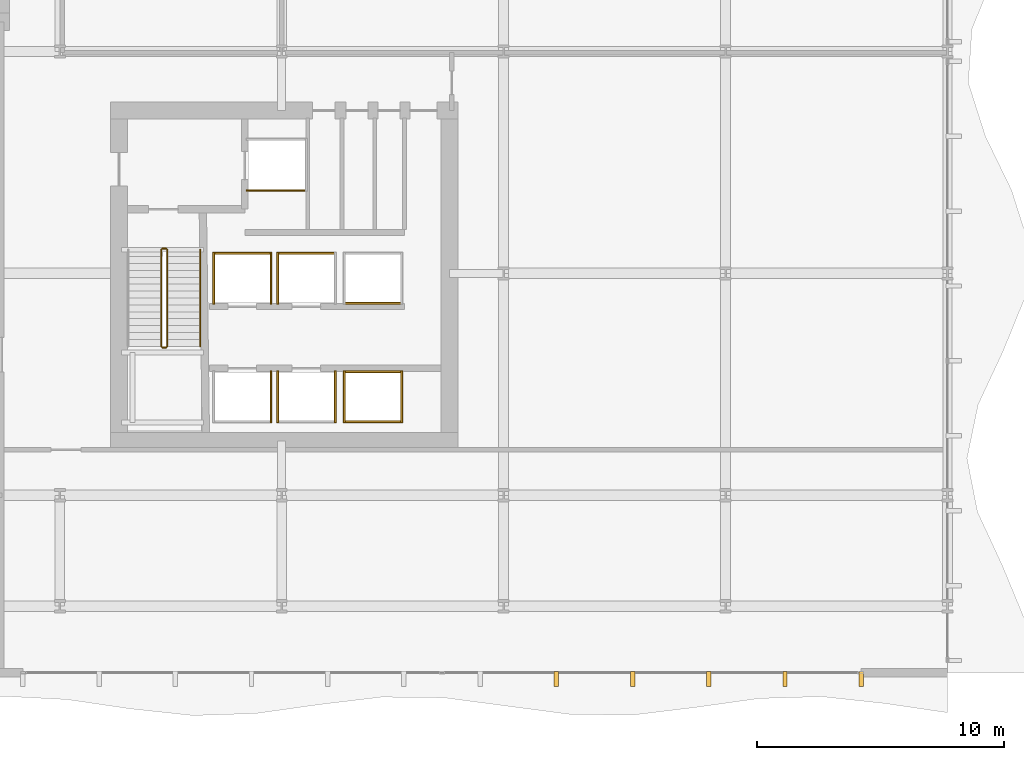
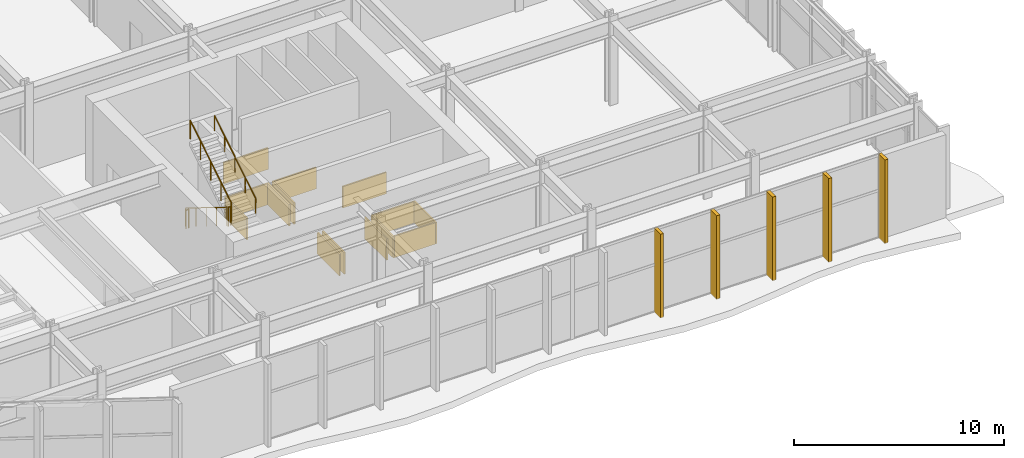
# One storey, part 29 of 33: 19 coverings, 5 railings.
"""IFC4 building model written with IfcOpenShell, lengths in metres."""

from ifc_helpers import new_model, si_unit, direction, frame, origin, origin_2d, place, context, subcontext, project, spatial, rectangle, circle, extrude, material, layer, layer_set, type_object, element, save


model = new_model("IFC4")

# Units and contexts
model_context = context("Model", 3, precision=1e-05, world=origin(), true_north=direction((0.0, 1.0)))
body_context = subcontext(model_context, "Body", "Model", "MODEL_VIEW")
ifc_project = project(units=[si_unit("LENGTHUNIT", "METRE"), si_unit("AREAUNIT", "SQUARE_METRE"), si_unit("VOLUMEUNIT", "CUBIC_METRE"), si_unit("PLANEANGLEUNIT", "RADIAN"), si_unit("MASSUNIT", "GRAM", prefix="KILO")], contexts=[model_context])

# Site, building, storey
site_placement = place(None, origin())
site = spatial("IfcSite", under=ifc_project, at=site_placement, CompositionType="ELEMENT")
building_placement = place(site_placement, origin())
building = spatial("IfcBuilding", under=site, at=building_placement, Name="Solvaryn Broadcast Tower", CompositionType="ELEMENT")
storey_placement = place(building_placement, frame((0.0, 0.0, 5.800048828125)))
storey = spatial("IfcBuildingStorey", under=building, at=storey_placement, Name="L01", CompositionType="ELEMENT", Elevation=5.800048828125)

# Coverings
ifc_material_1 = material(Name="Fire-Rated Gypsum Shaftwall Liner", Category="concrete")
ifc_layer_1 = layer(ifc_material_1, 0.080078125)
ifc_layer_set_1 = layer_set([ifc_layer_1], Name="CV-SHAFT-LINER")
covering_type_1 = type_object("IfcCoveringType", Name="CV-SHAFT-LINER", PredefinedType="CLADDING", material=ifc_layer_set_1)
covering_1_placement = place(storey_placement, frame((35.800048828125, 21.360107421875, 0.0), z_axis=(0.0, 0.0, 1.0), x_axis=(1.0, 0.0, 0.0)))
element("IfcCovering", 1, at=covering_1_placement, inside=storey, type_object=covering_type_1, Name="L01 FL2 Hoistway Shaft Liner South", PredefinedType="CLADDING", context=body_context, shape_type="SweptSolid", body=[
    extrude(rectangle(XDim=2.4599609375, YDim=0.080078125, at=origin_2d()), origin(), (0.0, 0.0, 1.0), 1.25),
])
for number, where, z_axis, x_axis, name in (
    (2, (35.56494140625, 13.0, 0.0), (0.0, 0.0, 1.0), (1.0, 0.0, 0.0), "L01 PL1 Hoistway Shaft Liner East"),
    (3, (38.1650390625, 13.0, 0.0), (0.0, 0.0, 1.0), (1.0, 0.0, 0.0), "L01 PL2 Hoistway Shaft Liner East"),
    (4, (35.8349609375, 13.0, 0.0), (0.0, 0.0, 1.0), (1.0, 0.0, 0.0), "L01 PL2 Hoistway Shaft Liner West"),
):
    element("IfcCovering", number, at=place(storey_placement, frame(where, z_axis=z_axis, x_axis=x_axis)), inside=storey, type_object=covering_type_1, Name=name, PredefinedType="CLADDING", context=body_context, shape_type="SweptSolid", body=[
        extrude(rectangle(XDim=0.080078125, YDim=2.110107421875, at=origin_2d()), origin(), (0.0, 0.0, 1.0), 1.25),
    ])
covering_2_placement = place(storey_placement, frame((34.39990234375, 18.81494140625, 0.0), z_axis=(0.0, 0.0, 1.0), x_axis=(1.0, 0.0, 0.0)))
element("IfcCovering", 5, at=covering_2_placement, inside=storey, type_object=covering_type_1, Name="L01 PL3 Hoistway Shaft Liner North", PredefinedType="CLADDING", context=body_context, shape_type="SweptSolid", body=[
    extrude(rectangle(XDim=2.409912109375, YDim=0.080078125, at=origin_2d()), origin(), (0.0, 0.0, 1.0), 1.25),
])
for number, where, z_axis, x_axis, name in (
    (6, (35.56494140625, 17.800048828125, 0.0), (0.0, 0.0, 1.0), (1.0, 0.0, 0.0), "L01 PL3 Hoistway Shaft Liner East"),
    (7, (33.235107421875, 17.800048828125, 0.0), (0.0, 0.0, 1.0), (1.0, 0.0, 0.0), "L01 PL3 Hoistway Shaft Liner West"),
):
    element("IfcCovering", number, at=place(storey_placement, frame(where, z_axis=z_axis, x_axis=x_axis)), inside=storey, type_object=covering_type_1, Name=name, PredefinedType="CLADDING", context=body_context, shape_type="SweptSolid", body=[
        extrude(rectangle(XDim=0.080078125, YDim=2.110107421875, at=origin_2d()), origin(), (0.0, 0.0, 1.0), 1.25),
    ])
covering_3_placement = place(storey_placement, frame((37.0, 18.81494140625, 0.0), z_axis=(0.0, 0.0, 1.0), x_axis=(1.0, 0.0, 0.0)))
element("IfcCovering", 8, at=covering_3_placement, inside=storey, type_object=covering_type_1, Name="L01 PL4 Hoistway Shaft Liner North", PredefinedType="CLADDING", context=body_context, shape_type="SweptSolid", body=[
    extrude(rectangle(XDim=2.409912109375, YDim=0.080078125, at=origin_2d()), origin(), (0.0, 0.0, 1.0), 1.25),
])
covering_4_placement = place(storey_placement, frame((35.8349609375, 17.800048828125, 0.0), z_axis=(0.0, 0.0, 1.0), x_axis=(1.0, 0.0, 0.0)))
element("IfcCovering", 9, at=covering_4_placement, inside=storey, type_object=covering_type_1, Name="L01 PL4 Hoistway Shaft Liner West", PredefinedType="CLADDING", context=body_context, shape_type="SweptSolid", body=[
    extrude(rectangle(XDim=0.080078125, YDim=2.110107421875, at=origin_2d()), origin(), (0.0, 0.0, 1.0), 1.25),
])
for number, where, z_axis, x_axis, name in (
    (10, (39.699951171875, 14.014892578125, 0.0), (0.0, 0.0, 1.0), (1.0, 0.0, 0.0), "L01 PM1 Hoistway Shaft Liner North"),
    (11, (39.699951171875, 11.985107421875, 0.0), (0.0, 0.0, 1.0), (1.0, 0.0, 0.0), "L01 PM1 Hoistway Shaft Liner South"),
):
    element("IfcCovering", number, at=place(storey_placement, frame(where, z_axis=z_axis, x_axis=x_axis)), inside=storey, type_object=covering_type_1, Name=name, PredefinedType="CLADDING", context=body_context, shape_type="SweptSolid", body=[
        extrude(rectangle(XDim=2.409912109375, YDim=0.080078125, at=origin_2d()), origin(), (0.0, 0.0, 1.0), 1.25),
    ])
for number, where, z_axis, x_axis, name in (
    (12, (40.864990234375, 13.0, 0.0), (0.0, 0.0, 1.0), (1.0, 0.0, 0.0), "L01 PM1 Hoistway Shaft Liner East"),
    (13, (38.534912109375, 13.0, 0.0), (0.0, 0.0, 1.0), (1.0, 0.0, 0.0), "L01 PM1 Hoistway Shaft Liner West"),
):
    element("IfcCovering", number, at=place(storey_placement, frame(where, z_axis=z_axis, x_axis=x_axis)), inside=storey, type_object=covering_type_1, Name=name, PredefinedType="CLADDING", context=body_context, shape_type="SweptSolid", body=[
        extrude(rectangle(XDim=0.080078125, YDim=2.110107421875, at=origin_2d()), origin(), (0.0, 0.0, 1.0), 1.25),
    ])
covering_5_placement = place(storey_placement, frame((39.699951171875, 16.784912109375, 0.0), z_axis=(0.0, 0.0, 1.0), x_axis=(1.0, 0.0, 0.0)))
element("IfcCovering", 14, at=covering_5_placement, inside=storey, type_object=covering_type_1, Name="L01 PM2 Hoistway Shaft Liner South", PredefinedType="CLADDING", context=body_context, shape_type="SweptSolid", body=[
    extrude(rectangle(XDim=2.409912109375, YDim=0.080078125, at=origin_2d()), origin(), (0.0, 0.0, 1.0), 1.25),
])
ifc_material_2 = material(Name="Extruded Architectural Terracotta Fin", Category="masonry")
ifc_layer_2 = layer(ifc_material_2, 0.179931640625)
ifc_layer_set_2 = layer_set([ifc_layer_2], Name="CV-TC-FIN")
covering_type_2 = type_object("IfcCoveringType", Name="CV-TC-FIN", PredefinedType="USERDEFINED", material=ifc_layer_set_2)
for number, where, z_axis, x_axis, name in (
    (15, (59.5, 1.550048828125, 0.0), (0.0, 0.0, 1.0), (1.0, 0.0, 0.0), "L01 Terracotta Vertical Fin FIN-POD-L01-S1-00"),
    (16, (56.4091796875, 1.550048828125, 0.0), (0.0, 0.0, 1.0), (1.0, 0.0, 0.0), "L01 Terracotta Vertical Fin FIN-POD-L01-S1-01"),
    (17, (53.318115234375, 1.550048828125, 0.0), (0.0, 0.0, 1.0), (1.0, 0.0, 0.0), "L01 Terracotta Vertical Fin FIN-POD-L01-S1-02"),
    (18, (50.227294921875, 1.550048828125, 0.0), (0.0, 0.0, 1.0), (1.0, 0.0, 0.0), "L01 Terracotta Vertical Fin FIN-POD-L01-S1-03"),
    (19, (47.136474609375, 1.550048828125, 0.0), (0.0, 0.0, 1.0), (1.0, 0.0, 0.0), "L01 Terracotta Vertical Fin FIN-POD-L01-S1-04"),
):
    element("IfcCovering", number, at=place(storey_placement, frame(where, z_axis=z_axis, x_axis=x_axis)), inside=storey, type_object=covering_type_2, Name=name, ObjectType="FIN", PredefinedType="USERDEFINED", context=body_context, shape_type="SweptSolid", body=[
        extrude(rectangle(XDim=0.179931640625, YDim=0.6201171875, at=origin_2d()), origin(), (0.0, 0.0, 1.0), 4.8798828125),
    ])

# Railings
ifc_material_3 = material(Name="Painted Steel Stair Well Guard", Category="steel")
railing_type_1 = type_object("IfcRailingType", Name="RL-STAIR-GUARD", PredefinedType="BALUSTRADE", material=ifc_material_3)
railing_1_placement = place(storey_placement, frame((31.110107421875, 18.9599609375, 0.17333984375)))
element("IfcRailing", 20, at=railing_1_placement, inside=storey, type_object=railing_type_1, Name="L01 ST3 stair guard 1", PredefinedType="BALUSTRADE", context=body_context, shape_type="SweptSolid", body=[
    extrude(circle(Radius=0.02392578125, at=origin_2d()), frame((0.0, 0.0, 1.076171875), z_axis=(0.0, -0.850275303828, 0.526338206574), x_axis=(1.0, 0.0, 0.0)), (0.0, 0.0, 1.0), 4.610107421875),
    extrude(circle(Radius=0.02099609375, at=origin_2d()), origin(), (0.0, 0.0, 1.0), 1.052001953125),
    extrude(circle(Radius=0.02099609375, at=origin_2d()), frame((0.0, -0.97998046875, 0.606689453125)), (0.0, 0.0, 1.0), 1.052001953125),
    extrude(circle(Radius=0.02099609375, at=origin_2d()), frame((0.0, -1.9599609375, 1.21337890625)), (0.0, 0.0, 1.0), 1.052001953125),
    extrude(circle(Radius=0.02099609375, at=origin_2d()), frame((0.0, -2.93994140625, 1.81982421875)), (0.0, 0.0, 1.0), 1.052001953125),
    extrude(circle(Radius=0.02099609375, at=origin_2d()), frame((0.0, -3.919921875, 2.426513671875)), (0.0, 0.0, 1.0), 1.052001953125),
])
railing_2_placement = place(storey_placement, frame((31.159912109375, 14.989990234375, 2.599853515625)))
element("IfcRailing", 21, at=railing_2_placement, inside=storey, type_object=railing_type_1, Name="L01 ST3 stair guard 2", PredefinedType="BALUSTRADE", context=body_context, shape_type="SweptSolid", body=[
    extrude(circle(Radius=0.02392578125, at=origin_2d()), frame((0.0, 0.0, 1.076171875), z_axis=(1.0, 0.0, 0.0), x_axis=(0.0, 1.0, 0.0)), (0.0, 0.0, 1.0), 0.150146484375),
    extrude(circle(Radius=0.02099609375, at=origin_2d()), origin(), (0.0, 0.0, 1.0), 1.052001953125),
    extrude(circle(Radius=0.02099609375, at=origin_2d()), frame((0.150146484375, 0.0, 0.0)), (0.0, 0.0, 1.0), 1.052001953125),
])
railing_3_placement = place(storey_placement, frame((31.360107421875, 15.0400390625, 2.773193359375)))
element("IfcRailing", 22, at=railing_3_placement, inside=storey, type_object=railing_type_1, Name="L01 ST3 stair guard 3", PredefinedType="BALUSTRADE", context=body_context, shape_type="SweptSolid", body=[
    extrude(circle(Radius=0.02392578125, at=origin_2d()), frame((0.0, 0.0, 1.076171875), z_axis=(0.0, 0.850251603719, 0.526376491091), x_axis=(-1.0, 0.0, 0.0)), (0.0, 0.0, 1.0), 4.6103515625),
    extrude(circle(Radius=0.02099609375, at=origin_2d()), origin(), (0.0, 0.0, 1.0), 1.052001953125),
    extrude(circle(Radius=0.02099609375, at=origin_2d()), frame((0.0, 0.97998046875, 0.606689453125)), (0.0, 0.0, 1.0), 1.052001953125),
    extrude(circle(Radius=0.02099609375, at=origin_2d()), frame((0.0, 1.9599609375, 1.21337890625)), (0.0, 0.0, 1.0), 1.052001953125),
    extrude(circle(Radius=0.02099609375, at=origin_2d()), frame((0.0, 2.93994140625, 1.820068359375)), (0.0, 0.0, 1.0), 1.052001953125),
    extrude(circle(Radius=0.02099609375, at=origin_2d()), frame((0.0, 3.919921875, 2.4267578125)), (0.0, 0.0, 1.0), 1.052001953125),
])
railing_4_placement = place(storey_placement, frame((31.159912109375, 19.010009765625, 0.0)))
element("IfcRailing", 23, at=railing_4_placement, inside=storey, type_object=railing_type_1, Name="L01 ST3 stair guard 4", PredefinedType="BALUSTRADE", context=body_context, shape_type="SweptSolid", body=[
    extrude(circle(Radius=0.02392578125, at=origin_2d()), frame((0.0, 0.0, 1.076171875), z_axis=(1.0, 0.0, 0.0), x_axis=(0.0, 1.0, 0.0)), (0.0, 0.0, 1.0), 0.150146484375),
    extrude(circle(Radius=0.02099609375, at=origin_2d()), origin(), (0.0, 0.0, 1.0), 1.052001953125),
    extrude(circle(Radius=0.02099609375, at=origin_2d()), frame((0.150146484375, 0.0, 0.0)), (0.0, 0.0, 1.0), 1.052001953125),
])
ifc_material_4 = material(Name="Brushed Stainless Steel Tubular Handrail", Category="steel")
railing_type_2 = type_object("IfcRailingType", Name="RL-STAIR-HANDRAIL", PredefinedType="HANDRAIL", material=ifc_material_4)
railing_5_placement = place(storey_placement, frame((32.699951171875, 15.0400390625, 2.773193359375)))
element("IfcRailing", 24, at=railing_5_placement, inside=storey, type_object=railing_type_2, Name="L01 ST3 stair handrail 2", PredefinedType="HANDRAIL", context=body_context, shape_type="SweptSolid", body=[
    extrude(circle(Radius=0.02392578125, at=origin_2d()), frame((0.0, 0.0, 0.8759765625), z_axis=(0.0, 0.850251603719, 0.526376491091), x_axis=(-1.0, 0.0, 0.0)), (0.0, 0.0, 1.0), 4.6103515625),
    extrude(circle(Radius=0.02099609375, at=origin_2d()), origin(), (0.0, 0.0, 1.0), 0.851806640625),
    extrude(circle(Radius=0.02099609375, at=origin_2d()), frame((0.0, 0.97998046875, 0.606689453125)), (0.0, 0.0, 1.0), 0.851806640625),
    extrude(circle(Radius=0.02099609375, at=origin_2d()), frame((0.0, 1.9599609375, 1.21337890625)), (0.0, 0.0, 1.0), 0.851806640625),
    extrude(circle(Radius=0.02099609375, at=origin_2d()), frame((0.0, 2.93994140625, 1.820068359375)), (0.0, 0.0, 1.0), 0.851806640625),
    extrude(circle(Radius=0.02099609375, at=origin_2d()), frame((0.0, 3.919921875, 2.4267578125)), (0.0, 0.0, 1.0), 0.851806640625),
])

save(model, "model.ifc")
